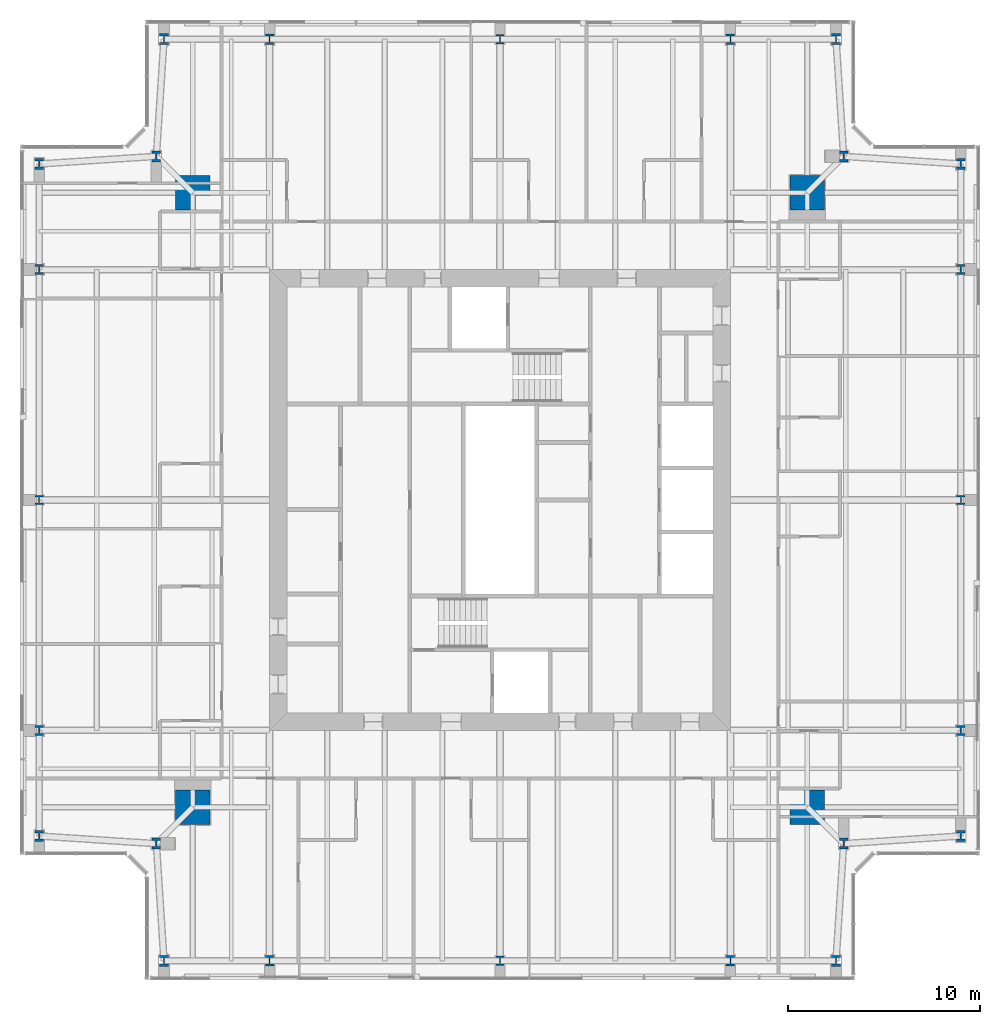
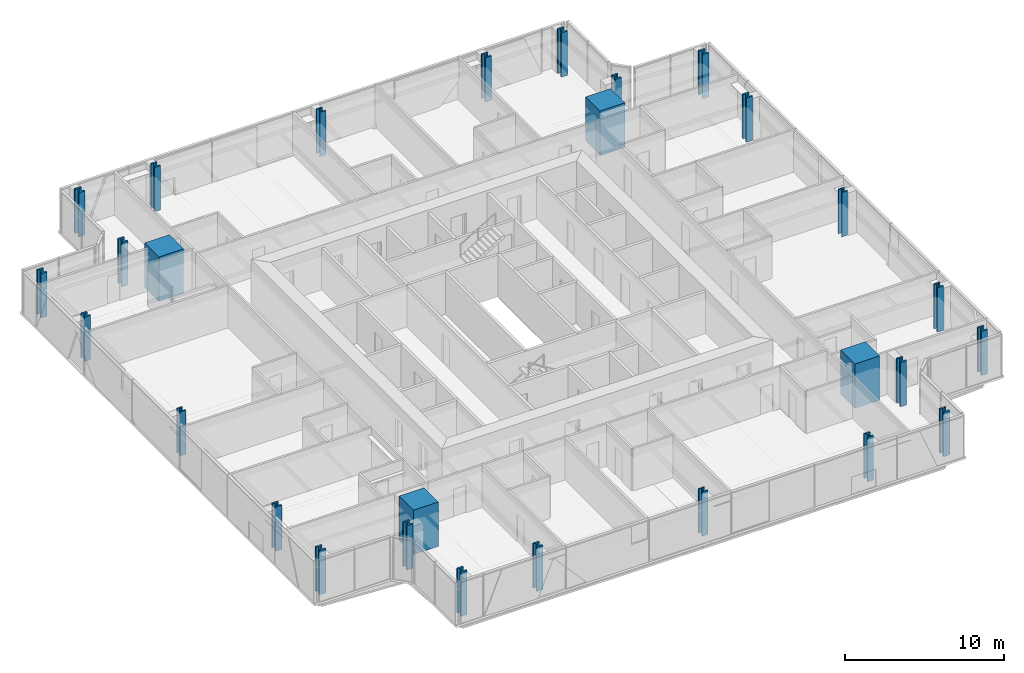
# One storey, part 1 of 18: 28 columns.
"""IFC4 building model written with IfcOpenShell, lengths in metres."""

from ifc_helpers import new_model, si_unit, direction, frame, origin, origin_2d, place, context, subcontext, project, spatial, rectangle, i_section, extrude, material, material_profile, profile_set, type_object, element, save


model = new_model("IFC4")

# Units and contexts
model_context = context("Model", 3, precision=1e-05, world=origin(), true_north=direction((0.0, 1.0)))
body_context = subcontext(model_context, "Body", "Model", "MODEL_VIEW")
ifc_project = project(units=[si_unit("LENGTHUNIT", "METRE"), si_unit("AREAUNIT", "SQUARE_METRE"), si_unit("VOLUMEUNIT", "CUBIC_METRE"), si_unit("PLANEANGLEUNIT", "RADIAN"), si_unit("MASSUNIT", "GRAM", prefix="KILO")], contexts=[model_context])

# Site, building, storey
site_placement = place(None, origin())
site = spatial("IfcSite", under=ifc_project, at=site_placement, CompositionType="ELEMENT")
building_placement = place(site_placement, origin())
building = spatial("IfcBuilding", under=site, at=building_placement, Name="Fenwick Lantern Interchange", CompositionType="ELEMENT")
storey_placement = place(building_placement, frame((0.0, 0.0, 290.0)))
storey = spatial("IfcBuildingStorey", under=building, at=storey_placement, Name="L70", CompositionType="ELEMENT", Elevation=290.0)

# Columns
ifc_material_1 = material(Name="Concrete f'c 70 MPa", Category="concrete")
ifc_material_profile_1 = material_profile(ifc_material_1, rectangle(XDim=1.800048828125, YDim=1.800048828125, at=origin_2d()), Name="RC1800X1800")
ifc_profile_set_1 = profile_set([ifc_material_profile_1], Name="Concrete f'c 70 MPa")
column_type_1 = type_object("IfcColumnType", Name="MEGA COLUMN RC1800X1800", PredefinedType="COLUMN", material=ifc_profile_set_1)
for number, where, z_axis, x_axis, name in (
    (1, (9.0, 9.0, 0.0), (0.0, 0.0, 1.0), (1.0, 0.0, 0.0), "L70/M1"),
    (2, (41.0, 9.0, 0.0), (0.0, 0.0, 1.0), (1.0, 0.0, 0.0), "L70/M2"),
    (3, (41.0, 41.0, 0.0), (0.0, 0.0, 1.0), (1.0, 0.0, 0.0), "L70/M3"),
    (4, (9.0, 41.0, 0.0), (0.0, 0.0, 1.0), (1.0, 0.0, 0.0), "L70/M4"),
):
    element("IfcColumn", number, at=place(storey_placement, frame(where, z_axis=z_axis, x_axis=x_axis)), inside=storey, type_object=column_type_1, Name=name, PredefinedType="COLUMN", context=body_context, shape_type="SweptSolid", body=[
        extrude(rectangle(XDim=1.800048828125, YDim=1.800048828125, at=origin_2d()), origin(), (0.0, 0.0, 1.0), 3.39990234375),
    ])
ifc_material_2 = material(Name="Steel ASTM A992 Grade 50", Category="steel")
ifc_material_profile_2 = material_profile(ifc_material_2, i_section(OverallWidth=0.424072265625, OverallDepth=0.47509765625, WebThickness=0.0478515625, FlangeThickness=0.0771484375, at=origin_2d()), Name="W14X426")
ifc_profile_set_2 = profile_set([ifc_material_profile_2], Name="Steel ASTM A992 Grade 50")
column_type_2 = type_object("IfcColumnType", Name="PERIMETER COLUMN W14X426", PredefinedType="COLUMN", material=ifc_profile_set_2)
for number, where, z_axis, x_axis, name in (
    (5, (25.0, 1.0, 0.0), (0.0, 0.0, 1.0), (1.0, 0.0, 0.0), "L70/CS3"),
    (6, (49.0, 25.0, 0.0), (0.0, 0.0, 1.0), (1.0, 0.0, 0.0), "L70/CE3"),
    (7, (25.0, 49.0, 0.0), (0.0, 0.0, 1.0), (1.0, 0.0, 0.0), "L70/CN3"),
    (8, (1.0, 25.0, 0.0), (0.0, 0.0, 1.0), (1.0, 0.0, 0.0), "L70/CW3"),
):
    element("IfcColumn", number, at=place(storey_placement, frame(where, z_axis=z_axis, x_axis=x_axis)), inside=storey, type_object=column_type_2, Name=name, PredefinedType="COLUMN", context=body_context, shape_type="SweptSolid", body=[
        extrude(i_section(OverallWidth=0.424072265625, OverallDepth=0.47509765625, WebThickness=0.0478515625, FlangeThickness=0.0771484375, at=origin_2d()), origin(), (0.0, 0.0, 1.0), 3.39990234375),
    ])
ifc_material_profile_3 = material_profile(ifc_material_2, i_section(OverallWidth=0.44189453125, OverallDepth=0.53076171875, WebThickness=0.06591796875, FlangeThickness=0.105712890625, at=origin_2d()), Name="W14X605")
ifc_profile_set_3 = profile_set([ifc_material_profile_3], Name="Steel ASTM A992 Grade 50")
column_type_3 = type_object("IfcColumnType", Name="PERIMETER COLUMN W14X605", PredefinedType="COLUMN", material=ifc_profile_set_3)
for number, where, z_axis, x_axis, name in (
    (9, (13.0, 1.0, 0.0), (0.0, 0.0, 1.0), (1.0, 0.0, 0.0), "L70/CS2"),
    (10, (37.0, 1.0, 0.0), (0.0, 0.0, 1.0), (1.0, 0.0, 0.0), "L70/CS4"),
    (11, (49.0, 13.0, 0.0), (0.0, 0.0, 1.0), (1.0, 0.0, 0.0), "L70/CE2"),
    (12, (49.0, 37.0, 0.0), (0.0, 0.0, 1.0), (1.0, 0.0, 0.0), "L70/CE4"),
    (13, (37.0, 49.0, 0.0), (0.0, 0.0, 1.0), (1.0, 0.0, 0.0), "L70/CN2"),
    (14, (13.0, 49.0, 0.0), (0.0, 0.0, 1.0), (1.0, 0.0, 0.0), "L70/CN4"),
    (15, (1.0, 37.0, 0.0), (0.0, 0.0, 1.0), (1.0, 0.0, 0.0), "L70/CW2"),
    (16, (1.0, 13.0, 0.0), (0.0, 0.0, 1.0), (1.0, 0.0, 0.0), "L70/CW4"),
):
    element("IfcColumn", number, at=place(storey_placement, frame(where, z_axis=z_axis, x_axis=x_axis)), inside=storey, type_object=column_type_3, Name=name, PredefinedType="COLUMN", context=body_context, shape_type="SweptSolid", body=[
        extrude(i_section(OverallWidth=0.44189453125, OverallDepth=0.53076171875, WebThickness=0.06591796875, FlangeThickness=0.105712890625, at=origin_2d()), origin(), (0.0, 0.0, 1.0), 3.39990234375),
    ])
ifc_material_profile_4 = material_profile(ifc_material_2, i_section(OverallWidth=0.45458984375, OverallDepth=0.56884765625, WebThickness=0.077880859375, FlangeThickness=0.124755859375, at=origin_2d()), Name="W14X730")
ifc_profile_set_4 = profile_set([ifc_material_profile_4], Name="Steel ASTM A992 Grade 50")
column_type_4 = type_object("IfcColumnType", Name="PERIMETER COLUMN W14X730", PredefinedType="COLUMN", material=ifc_profile_set_4)
for number, where, z_axis, x_axis, name in (
    (17, (7.5, 1.0, 0.0), (0.0, 0.0, 1.0), (1.0, 0.0, 0.0), "L70/CS1"),
    (18, (42.5, 1.0, 0.0), (0.0, 0.0, 1.0), (1.0, 0.0, 0.0), "L70/CS5"),
    (19, (42.89990234375, 7.10009765625, 0.0), (0.0, 0.0, 1.0), (1.0, 0.0, 0.0), "L70/CSR"),
    (20, (49.0, 7.5, 0.0), (0.0, 0.0, 1.0), (1.0, 0.0, 0.0), "L70/CE1"),
    (21, (49.0, 42.5, 0.0), (0.0, 0.0, 1.0), (1.0, 0.0, 0.0), "L70/CE5"),
    (22, (42.89990234375, 42.89990234375, 0.0), (0.0, 0.0, 1.0), (1.0, 0.0, 0.0), "L70/CER"),
    (23, (42.5, 49.0, 0.0), (0.0, 0.0, 1.0), (1.0, 0.0, 0.0), "L70/CN1"),
    (24, (7.5, 49.0, 0.0), (0.0, 0.0, 1.0), (1.0, 0.0, 0.0), "L70/CN5"),
    (25, (7.10009765625, 42.89990234375, 0.0), (0.0, 0.0, 1.0), (1.0, 0.0, 0.0), "L70/CNR"),
    (26, (1.0, 42.5, 0.0), (0.0, 0.0, 1.0), (1.0, 0.0, 0.0), "L70/CW1"),
    (27, (1.0, 7.5, 0.0), (0.0, 0.0, 1.0), (1.0, 0.0, 0.0), "L70/CW5"),
    (28, (7.10009765625, 7.10009765625, 0.0), (0.0, 0.0, 1.0), (1.0, 0.0, 0.0), "L70/CWR"),
):
    element("IfcColumn", number, at=place(storey_placement, frame(where, z_axis=z_axis, x_axis=x_axis)), inside=storey, type_object=column_type_4, Name=name, PredefinedType="COLUMN", context=body_context, shape_type="SweptSolid", body=[
        extrude(i_section(OverallWidth=0.45458984375, OverallDepth=0.56884765625, WebThickness=0.077880859375, FlangeThickness=0.124755859375, at=origin_2d()), origin(), (0.0, 0.0, 1.0), 3.39990234375),
    ])

save(model, "model.ifc")
